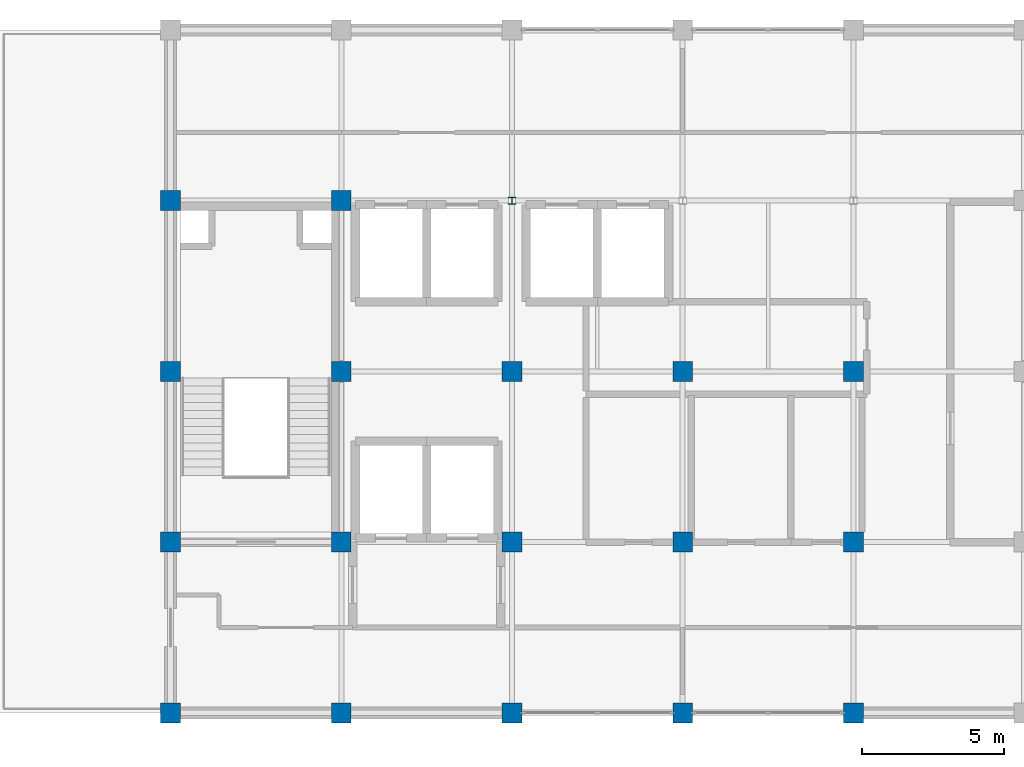
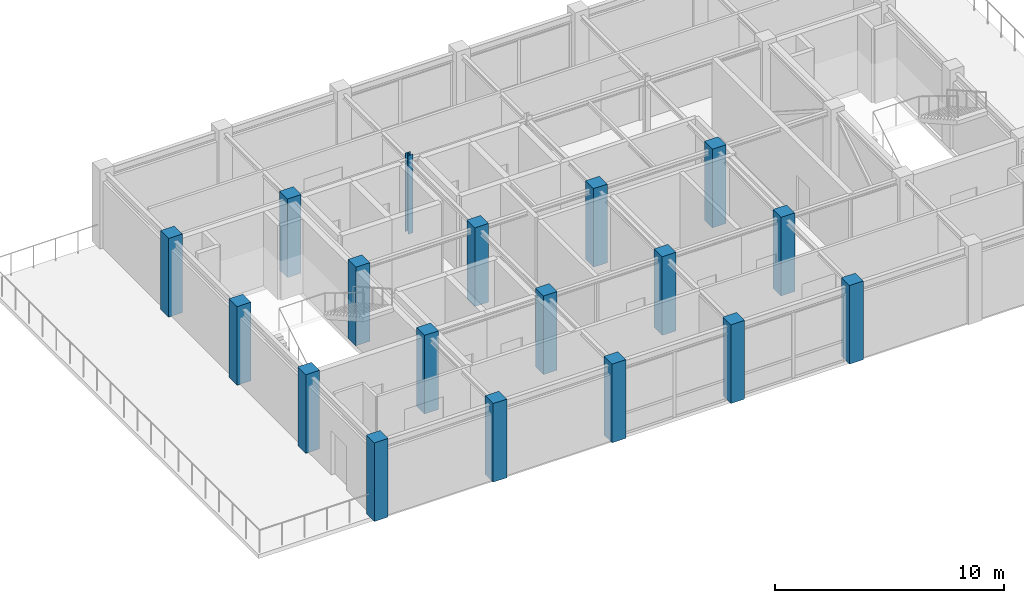
# One storey, part 1 of 14: 18 columns.
"""IFC4 building model written with IfcOpenShell, lengths in metres."""

from ifc_helpers import new_model, si_unit, direction, frame, origin, origin_2d, place, context, subcontext, project, spatial, rectangle, i_section, extrude, material, material_profile, profile_set, type_object, element, save


model = new_model("IFC4")

# Units and contexts
model_context = context("Model", 3, precision=1e-05, world=origin(), true_north=direction((0.0, 1.0)))
body_context = subcontext(model_context, "Body", "Model", "MODEL_VIEW")
ifc_project = project(units=[si_unit("LENGTHUNIT", "METRE"), si_unit("AREAUNIT", "SQUARE_METRE"), si_unit("VOLUMEUNIT", "CUBIC_METRE"), si_unit("PLANEANGLEUNIT", "RADIAN"), si_unit("MASSUNIT", "GRAM", prefix="KILO")], contexts=[model_context])

# Site, building, storey
site_placement = place(None, origin())
site = spatial("IfcSite", under=ifc_project, at=site_placement, CompositionType="ELEMENT")
building_placement = place(site_placement, origin())
building = spatial("IfcBuilding", under=site, at=building_placement, Name="Zlatovratsky Civic Hall", CompositionType="ELEMENT")
storey_placement = place(building_placement, frame((0.0, 0.0, 67.800048828125)))
storey = spatial("IfcBuildingStorey", under=building, at=storey_placement, Name="L17", CompositionType="ELEMENT", Elevation=67.800048828125)

# Columns
ifc_material_1 = material(Name="Concrete C35/45 (B40)", Category="concrete")
ifc_material_profile_1 = material_profile(ifc_material_1, rectangle(XDim=0.699951171875, YDim=0.699951171875, at=origin_2d()), Name="RC 700x700")
ifc_profile_set_1 = profile_set([ifc_material_profile_1], Name="Concrete C35/45 (B40)")
column_type_1 = type_object("IfcColumnType", Name="Col_CorePier_RC700", PredefinedType="COLUMN", material=ifc_profile_set_1)
for number, where, z_axis, x_axis, name in (
    (1, (66.0, 78.0, 0.0), (0.0, 0.0, 1.0), (1.0, 0.0, 0.0), "CL-2645"),
    (2, (72.0, 78.0, 0.0), (0.0, 0.0, 1.0), (1.0, 0.0, 0.0), "CL-2646"),
    (3, (78.0, 78.0, 0.0), (0.0, 0.0, 1.0), (1.0, 0.0, 0.0), "CL-2647"),
    (4, (84.0, 78.0, 0.0), (0.0, 0.0, 1.0), (1.0, 0.0, 0.0), "CL-2648"),
    (5, (90.0, 78.0, 0.0), (0.0, 0.0, 1.0), (1.0, 0.0, 0.0), "CL-2649"),
    (6, (66.0, 84.0, 0.0), (0.0, 0.0, 1.0), (1.0, 0.0, 0.0), "CL-2652"),
    (7, (72.0, 84.0, 0.0), (0.0, 0.0, 1.0), (1.0, 0.0, 0.0), "CL-2653"),
    (8, (78.0, 84.0, 0.0), (0.0, 0.0, 1.0), (1.0, 0.0, 0.0), "CL-2654"),
    (9, (84.0, 84.0, 0.0), (0.0, 0.0, 1.0), (1.0, 0.0, 0.0), "CL-2655"),
    (10, (90.0, 84.0, 0.0), (0.0, 0.0, 1.0), (1.0, 0.0, 0.0), "CL-2656"),
    (11, (66.0, 90.0, 0.0), (0.0, 0.0, 1.0), (1.0, 0.0, 0.0), "CL-2659"),
    (12, (72.0, 90.0, 0.0), (0.0, 0.0, 1.0), (1.0, 0.0, 0.0), "CL-2660"),
    (13, (78.0, 90.0, 0.0), (0.0, 0.0, 1.0), (1.0, 0.0, 0.0), "CL-2661"),
    (14, (84.0, 90.0, 0.0), (0.0, 0.0, 1.0), (1.0, 0.0, 0.0), "CL-2662"),
    (15, (90.0, 90.0, 0.0), (0.0, 0.0, 1.0), (1.0, 0.0, 0.0), "CL-2663"),
    (16, (66.0, 96.0, 0.0), (0.0, 0.0, 1.0), (1.0, 0.0, 0.0), "CL-2666"),
    (17, (72.0, 96.0, 0.0), (0.0, 0.0, 1.0), (1.0, 0.0, 0.0), "CL-2667"),
):
    element("IfcColumn", number, at=place(storey_placement, frame(where, z_axis=z_axis, x_axis=x_axis)), inside=storey, type_object=column_type_1, Name=name, PredefinedType="COLUMN", context=body_context, shape_type="SweptSolid", body=[
        extrude(rectangle(XDim=0.699951171875, YDim=0.699951171875, at=origin_2d()), origin(), (0.0, 0.0, 1.0), 4.199951171875),
    ])
ifc_material_2 = material(Name="Steel S355", Category="steel")
ifc_material_profile_2 = material_profile(ifc_material_2, i_section(OverallWidth=0.25, OverallDepth=0.25, WebThickness=0.009033203125, FlangeThickness=0.013916015625, FilletRadius=0.01611328125, at=origin_2d()), Name="25K2")
ifc_profile_set_2 = profile_set([ifc_material_profile_2], Name="Steel S355")
column_type_2 = type_object("IfcColumnType", Name="Col_Steel_25K2", PredefinedType="COLUMN", material=ifc_profile_set_2)
column_placement = place(storey_placement, frame((78.0, 96.0, 0.0), z_axis=(0.0, 0.0, 1.0), x_axis=(1.0, 0.0, 0.0)))
element("IfcColumn", 18, at=column_placement, inside=storey, type_object=column_type_2, Name="CL-2668", PredefinedType="COLUMN", context=body_context, shape_type="SweptSolid", body=[
    extrude(i_section(OverallWidth=0.25, OverallDepth=0.25, WebThickness=0.009033203125, FlangeThickness=0.013916015625, FilletRadius=0.01611328125, at=origin_2d()), origin(), (0.0, 0.0, 1.0), 4.199951171875),
])

save(model, "model.ifc")
